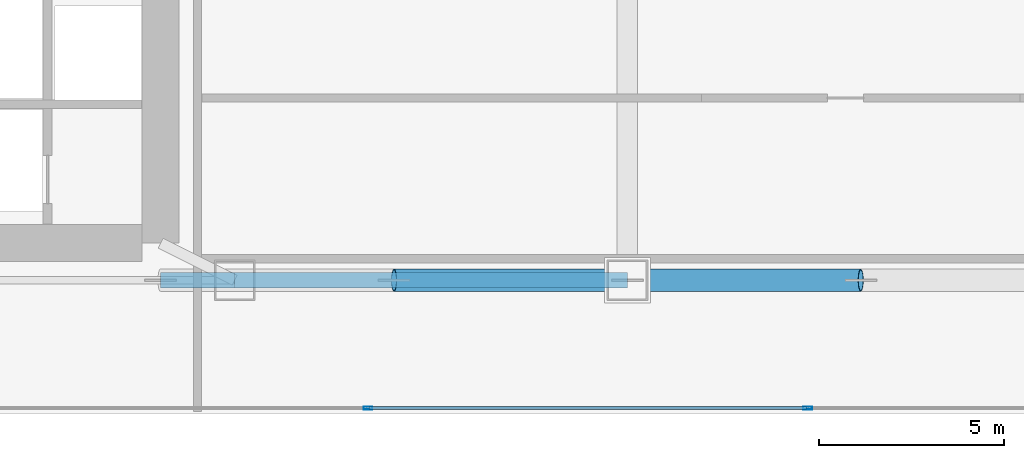
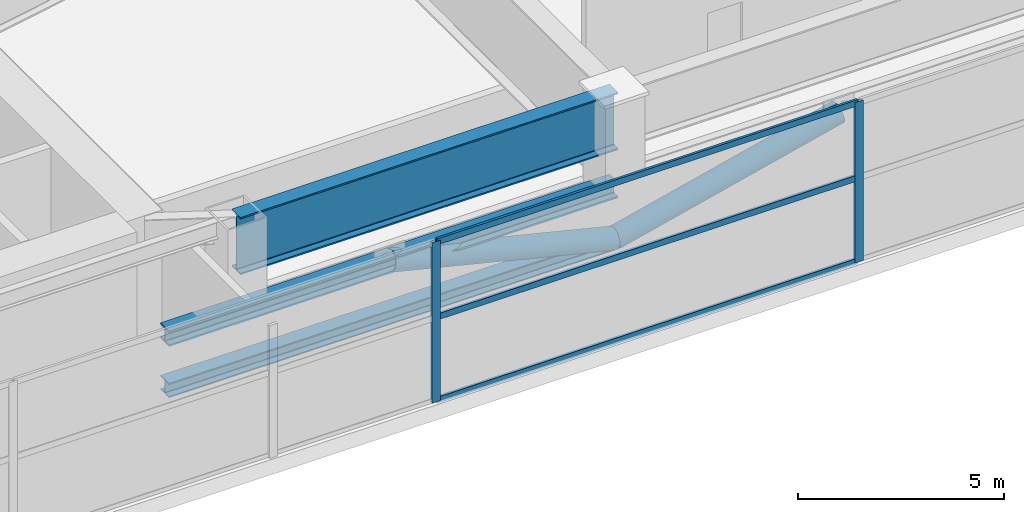
# One storey, part 11 of 36: 9 members, 1 beam, 1 element without a shape of its own.
"""IFC4 building model written with IfcOpenShell, lengths in metres."""

import ifcopenshell
import ifcopenshell.guid

model = None  # the IFC model being written
_history = None  # IfcOwnerHistory: only IFC2X3 demands one
_inside = {}  # id of a spatial element -> (the spatial element, [elements in it])
_under = {}  # id of a project, library or spatial element -> (it, [spatial elements below it])
_declared = {}  # id of a project -> (the project, [libraries it declares])
_typed = {}  # id of a type object -> (the type object, [elements of that type])
_made_of = {}  # id of a material, layer set ... -> (it, [elements and type objects made of it])


def new_model(schema):
    """Start an empty IFC model of exactly this schema.

    Asked for "IFC4X3", IfcOpenShell would pick the latest addendum, in which some entities
    have other attributes; the version numbers below select the first issue.
    IFC2X3 requires an IfcOwnerHistory on every rooted entity: one is made here for all.
    """
    global model, _history
    if schema == "IFC4X3":
        model = ifcopenshell.file(schema_version=(4, 3, 0, 0))
    else:
        model = ifcopenshell.file(schema=schema)
    _inside.clear()
    _under.clear()
    _declared.clear()
    _typed.clear()
    _made_of.clear()
    _history = None
    if model.schema == "IFC2X3":
        org = make("IfcOrganization", Name="unknown")
        user = make(
            "IfcPersonAndOrganization",
            ThePerson=make("IfcPerson", FamilyName="unknown"),
            TheOrganization=org,
        )
        app = make(
            "IfcApplication",
            ApplicationDeveloper=org,
            Version="unknown",
            ApplicationFullName="unknown",
            ApplicationIdentifier="unknown",
        )
        _history = make(
            "IfcOwnerHistory",
            OwningUser=user,
            OwningApplication=app,
            ChangeAction="ADDED",
            CreationDate=0,
        )
    return model


def make(cls, **values):
    """One entity of the class cls with the attributes given. An attribute that is None is left unset."""
    return model.create_entity(
        cls, **{name: value for name, value in values.items() if value is not None}
    )


def rooted(cls, **values):
    """An entity with a GlobalId (a new one), such as an element, a storey or a relation."""
    return make(cls, GlobalId=ifcopenshell.guid.new(), OwnerHistory=_history, **values)


def si_unit(unit_type, name, prefix=None):
    """IfcSIUnit, for example si_unit("LENGTHUNIT", "METRE", prefix="MILLI")."""
    return make("IfcSIUnit", UnitType=unit_type, Prefix=prefix, Name=name)


def assignment(units):
    """IfcUnitAssignment: the units of a project."""
    return None if units is None else make("IfcUnitAssignment", Units=units)


def point(xyz):
    """IfcCartesianPoint."""
    return None if xyz is None else make("IfcCartesianPoint", Coordinates=xyz)


def direction(xyz):
    """IfcDirection."""
    return None if xyz is None else make("IfcDirection", DirectionRatios=xyz)


def frame(location, z_axis=None, x_axis=None):
    """IfcAxis2Placement3D, a coordinate frame: its origin and axes. An axis left out is left unset."""
    return make(
        "IfcAxis2Placement3D",
        Location=point(location),
        Axis=direction(z_axis),
        RefDirection=direction(x_axis),
    )


def frame_2d(location, x_axis=None):
    """IfcAxis2Placement2D, a coordinate frame in the plane: its origin and x axis."""
    return make(
        "IfcAxis2Placement2D", Location=point(location), RefDirection=direction(x_axis)
    )


def origin():
    """The frame at (0, 0, 0) with its axes left unset."""
    return frame((0.0, 0.0, 0.0))


def origin_2d():
    """The frame at (0, 0) in the plane with its x axis left unset."""
    return frame_2d((0.0, 0.0))


def place(relative_to, where):
    """IfcLocalPlacement: puts the frame where relative to a parent placement (None: the world)."""
    return make(
        "IfcLocalPlacement", PlacementRelTo=relative_to, RelativePlacement=where
    )


def context(
    kind, dimensions, precision=None, world=None, true_north=None, identifier=None
):
    """IfcGeometricRepresentationContext, for example the 3D "Model" context."""
    return make(
        "IfcGeometricRepresentationContext",
        ContextIdentifier=identifier,
        ContextType=kind,
        CoordinateSpaceDimension=dimensions,
        Precision=precision,
        WorldCoordinateSystem=world,
        TrueNorth=true_north,
    )


def subcontext(parent, identifier, kind, view, scale=None):
    """IfcGeometricRepresentationSubContext, for example "Body" below "Model"."""
    return make(
        "IfcGeometricRepresentationSubContext",
        ContextIdentifier=identifier,
        ContextType=kind,
        ParentContext=parent,
        TargetScale=scale,
        TargetView=view,
    )


def project(units=None, contexts=None):
    """IfcProject with its units and contexts."""
    return rooted(
        "IfcProject",
        Name="project",
        RepresentationContexts=contexts,
        UnitsInContext=assignment(units),
    )


def spatial(cls, under=None, at=None, **own):
    """A site, building, storey or space (cls), placed at a placement, below another one or the project."""
    s = rooted(cls, ObjectPlacement=at, **own)
    if under is not None:
        _under.setdefault(under.id(), (under, []))[1].append(s)
    return s


def profile(cls, at=None, kind="AREA", **sizes):
    """A parametric profile (cls). Its sizes go by their IFC names, for example OverallWidth=200.0."""
    return make(cls, ProfileType=kind, Position=at, **sizes)


def hollow_rectangle(**sizes):
    """IfcRectangleHollowProfileDef."""
    return profile("IfcRectangleHollowProfileDef", **sizes)


def hollow_circle(**sizes):
    """IfcCircleHollowProfileDef."""
    return profile("IfcCircleHollowProfileDef", **sizes)


def i_section(**sizes):
    """IfcIShapeProfileDef."""
    return profile("IfcIShapeProfileDef", **sizes)


def extrude(swept, where, along, depth):
    """IfcExtrudedAreaSolid: the profile swept, set in the frame where, extruded along a direction by depth."""
    return make(
        "IfcExtrudedAreaSolid",
        SweptArea=swept,
        Position=where,
        ExtrudedDirection=direction(along),
        Depth=depth,
    )


def shape(context_of_items, identifier, shape_type, items):
    """IfcShapeRepresentation: the items that make up one representation, for example the "Body"."""
    return make(
        "IfcShapeRepresentation",
        ContextOfItems=context_of_items,
        RepresentationIdentifier=identifier,
        RepresentationType=shape_type,
        Items=items,
    )


def material(Name=None, Category=None):
    """IfcMaterial."""
    return make("IfcMaterial", Name=Name, Category=Category)


def layer(
    of_material, thickness, ventilated=None, Name=None, Category=None, Priority=None
):
    """IfcMaterialLayer: one layer of a wall or slab, of a material (None: an air gap)."""
    return make(
        "IfcMaterialLayer",
        Material=of_material,
        LayerThickness=thickness,
        IsVentilated=ventilated,
        Name=Name,
        Category=Category,
        Priority=Priority,
    )


def layer_set(layers, Name=None):
    """IfcMaterialLayerSet."""
    return make("IfcMaterialLayerSet", MaterialLayers=layers, LayerSetName=Name)


def material_profile(
    of_material, cross_section, Name=None, Category=None, Priority=None
):
    """IfcMaterialProfile: a cross section and its material."""
    return make(
        "IfcMaterialProfile",
        Name=Name,
        Material=of_material,
        Profile=cross_section,
        Priority=Priority,
        Category=Category,
    )


def profile_set(profiles, Name=None, composite=None):
    """IfcMaterialProfileSet."""
    return make(
        "IfcMaterialProfileSet",
        Name=Name,
        MaterialProfiles=profiles,
        CompositeProfile=composite,
    )


def made_of(thing, what):
    """Note that an element or type object is made of a material, layer set ...; save() writes the relation."""
    if what is not None:
        _made_of.setdefault(what.id(), (what, []))[1].append(thing)
    return thing


def type_object(cls, material=None, **own):
    """A type object (cls), such as IfcWallType, which elements share."""
    return made_of(rooted(cls, **own), material)


def element(
    cls,
    number,
    at=None,
    inside=None,
    cuts=None,
    type_object=None,
    material=None,
    context=None,
    identifier="Body",
    shape_type=None,
    held_by="IfcProductDefinitionShape",
    body=None,
    shapes=None,
    **own,
):
    """One element of the class cls, such as IfcWall. Its Tag is "e" and its number.

    at: its placement. inside: the storey or other place that contains it. cuts: it is an
    opening in that element (IfcRelVoidsElement). A single representation is given by context,
    identifier, shape_type and body (its items); several are given by shapes. held_by: the class
    of the entity that holds the representations. save() writes the other relations.
    """
    e = rooted(cls, Tag="e%d" % number, ObjectPlacement=at, **own)
    if body is not None:
        shapes = [shape(context, identifier, shape_type, body)]
    if shapes is not None:
        e.Representation = make(held_by, Representations=shapes)
    if inside is not None:
        _inside.setdefault(inside.id(), (inside, []))[1].append(e)
    if cuts is not None:
        rooted(
            "IfcRelVoidsElement", RelatingBuildingElement=cuts, RelatedOpeningElement=e
        )
    if type_object is not None:
        _typed.setdefault(type_object.id(), (type_object, []))[1].append(e)
    return made_of(e, material)


def aggregate(whole, parts):
    """IfcRelAggregates: a whole, such as a stair, and the parts it consists of."""
    return rooted("IfcRelAggregates", RelatingObject=whole, RelatedObjects=parts)


def save(model, path):
    """Write the relations noted so far, then the file.

    IfcRelAggregates (storeys below a building ...), IfcRelContainedInSpatialStructure (elements
    in a storey), IfcRelDefinesByType, IfcRelAssociatesMaterial and IfcRelDeclares: one each for
    every whole, place, type object, material and project.
    """
    for whole, parts in _under.values():
        aggregate(whole, parts)
    for where, things in _inside.values():
        rooted(
            "IfcRelContainedInSpatialStructure",
            RelatedElements=things,
            RelatingStructure=where,
        )
    for kind, things in _typed.values():
        rooted("IfcRelDefinesByType", RelatedObjects=things, RelatingType=kind)
    for what, things in _made_of.values():
        rooted("IfcRelAssociatesMaterial", RelatedObjects=things, RelatingMaterial=what)
    for by, libraries in _declared.values():
        rooted("IfcRelDeclares", RelatingContext=by, RelatedDefinitions=libraries)
    model.write(path)


model = new_model("IFC4")

# Units and contexts
model_context = context("Model", 3, precision=1e-05, world=origin(), true_north=direction((0.0, 1.0)))
body_context = subcontext(model_context, "Body", "Model", "MODEL_VIEW")
ifc_project = project(units=[si_unit("LENGTHUNIT", "METRE"), si_unit("AREAUNIT", "SQUARE_METRE"), si_unit("VOLUMEUNIT", "CUBIC_METRE"), si_unit("PLANEANGLEUNIT", "RADIAN"), si_unit("MASSUNIT", "GRAM", prefix="KILO")], contexts=[model_context])

# Site, building, storey
site_placement = place(None, origin())
site = spatial("IfcSite", under=ifc_project, at=site_placement, CompositionType="ELEMENT")
building_placement = place(site_placement, origin())
building = spatial("IfcBuilding", under=site, at=building_placement, Name="Calvorn Quay Hotel", CompositionType="ELEMENT")
storey_placement = place(building_placement, frame((0.0, 0.0, 22.0)))
storey = spatial("IfcBuildingStorey", under=building, at=storey_placement, Name="L04", CompositionType="ELEMENT", Elevation=22.0)

# Beam
ifc_material_1 = material(Name="Steel Q420GJC", Category="steel")
ifc_material_profile_1 = material_profile(ifc_material_1, i_section(OverallWidth=0.419921875, OverallDepth=1.699951171875, WebThickness=0.02392578125, FlangeThickness=0.0419921875, FilletRadius=0.02392578125, at=origin_2d()), Name="HN1700x420x24x42")
ifc_profile_set_1 = profile_set([ifc_material_profile_1], Name="Steel Q420GJC")
beam_type = type_object("IfcBeamType", Name="BM-XFER-SAWTOOTH", PredefinedType="BEAM", material=ifc_profile_set_1)
beam_placement = place(storey_placement, frame((34.39990234375, 3.60009765625, 3.889892578125), z_axis=(1.0, 0.0, 0.0), x_axis=(0.0, 1.0, 0.0)))
element("IfcBeam", 1, at=beam_placement, inside=storey, type_object=beam_type, Name="Beam BTG-L04-S1", PredefinedType="BEAM", context=body_context, shape_type="SweptSolid", body=[
    extrude(i_section(OverallWidth=0.419921875, OverallDepth=1.699951171875, WebThickness=0.02392578125, FlangeThickness=0.0419921875, FilletRadius=0.02392578125, at=origin_2d()), origin(), (0.0, 0.0, 1.0), 10.60009765625),
])

# Curtain wall, members
ifc_material_2 = material(Name="Pale Anodised Aluminium and Low-E Glass", Category="aluminium")
ifc_layer = layer(ifc_material_2, 0.219970703125)
ifc_layer_set = layer_set([ifc_layer], Name="CW-SYS-POD")
curtain_wall_type = type_object("IfcCurtainWallType", Name="CW-SYS-POD", PredefinedType="NOTDEFINED", material=ifc_layer_set)
curtain_wall_placement = place(storey_placement, origin())
curtain_wall = element("IfcCurtainWall", 2, at=curtain_wall_placement, inside=storey, type_object=curtain_wall_type, Name="Podium Curtain Wall L04-S1", PredefinedType="NOTDEFINED")
ifc_material_3 = material(Name="Pale Anodised Aluminium 6063-T6", Category="aluminium")
ifc_material_profile_2 = material_profile(ifc_material_3, hollow_rectangle(XDim=0.080078125, YDim=0.239990234375, WallThickness=0.0048828125, at=origin_2d()), Name="ALU-M240x80x5")
ifc_profile_set_2 = profile_set([ifc_material_profile_2], Name="Pale Anodised Aluminium 6063-T6")
member_type_1 = type_object("IfcMemberType", Name="CW-SYS-POD-MUL", PredefinedType="MULLION", material=ifc_profile_set_2)
member_1_placement = place(storey_placement, frame((38.0, 0.14990234375, 0.0), z_axis=(0.0, 0.0, 1.0), x_axis=(0.0, 1.0, 0.0)))
member_1 = element("IfcMember", 3, at=member_1_placement, type_object=member_type_1, Name="CW-L04-S1 mullion 4", PredefinedType="MULLION", context=body_context, shape_type="SweptSolid", body=[
    extrude(hollow_rectangle(XDim=0.080078125, YDim=0.239990234375, WallThickness=0.0048828125, at=origin_2d()), origin(), (0.0, 0.0, 1.0), 4.760009765625),
])
member_2_placement = place(storey_placement, frame((49.86669921875, 0.14990234375, 0.0), z_axis=(0.0, 0.0, 1.0), x_axis=(0.0, 1.0, 0.0)))
member_2 = element("IfcMember", 4, at=member_2_placement, type_object=member_type_1, Name="CW-L04-S1 mullion 5", PredefinedType="MULLION", context=body_context, shape_type="SweptSolid", body=[
    extrude(hollow_rectangle(XDim=0.080078125, YDim=0.239990234375, WallThickness=0.0048828125, at=origin_2d()), origin(), (0.0, 0.0, 1.0), 4.760009765625),
])
ifc_material_4 = material(Name="Pale Anodised Aluminium 6063-T6", Category="aluminium")
ifc_material_profile_3 = material_profile(ifc_material_4, hollow_rectangle(XDim=0.070068359375, YDim=0.179931640625, WallThickness=0.00390625, at=origin_2d()), Name="ALU-T180x70x4")
ifc_profile_set_3 = profile_set([ifc_material_profile_3], Name="Pale Anodised Aluminium 6063-T6")
member_type_2 = type_object("IfcMemberType", Name="CW-SYS-POD-TRN", PredefinedType="USERDEFINED", material=ifc_profile_set_3)
member_3_placement = place(storey_placement, frame((38.030029296875, 0.14990234375, 0.030029296875), z_axis=(1.0, 0.0, 0.0), x_axis=(0.0, 1.0, 0.0)))
member_3 = element("IfcMember", 5, at=member_3_placement, type_object=member_type_2, Name="CW-L04-S1 transom 4.1", ObjectType="TRANSOM", PredefinedType="USERDEFINED", context=body_context, shape_type="SweptSolid", body=[
    extrude(hollow_rectangle(XDim=0.070068359375, YDim=0.179931640625, WallThickness=0.00390625, at=origin_2d()), origin(), (0.0, 0.0, 1.0), 11.806640625),
])
member_4_placement = place(storey_placement, frame((38.030029296875, 0.14990234375, 2.5), z_axis=(1.0, 0.0, 0.0), x_axis=(0.0, 1.0, 0.0)))
member_4 = element("IfcMember", 6, at=member_4_placement, type_object=member_type_2, Name="CW-L04-S1 transom 4.2", ObjectType="TRANSOM", PredefinedType="USERDEFINED", context=body_context, shape_type="SweptSolid", body=[
    extrude(hollow_rectangle(XDim=0.070068359375, YDim=0.179931640625, WallThickness=0.00390625, at=origin_2d()), origin(), (0.0, 0.0, 1.0), 11.806640625),
])
member_5_placement = place(storey_placement, frame((38.030029296875, 0.14990234375, 4.72998046875), z_axis=(1.0, 0.0, 0.0), x_axis=(0.0, 1.0, 0.0)))
member_5 = element("IfcMember", 7, at=member_5_placement, type_object=member_type_2, Name="CW-L04-S1 transom 4.3", ObjectType="TRANSOM", PredefinedType="USERDEFINED", context=body_context, shape_type="SweptSolid", body=[
    extrude(hollow_rectangle(XDim=0.070068359375, YDim=0.179931640625, WallThickness=0.00390625, at=origin_2d()), origin(), (0.0, 0.0, 1.0), 11.806640625),
])
aggregate(curtain_wall, [member_1, member_2, member_3, member_4, member_5])

# Members
ifc_material_5 = material(Name="Steel Q420GJC", Category="steel")
ifc_material_profile_4 = material_profile(ifc_material_5, i_section(OverallWidth=0.406982421875, OverallDepth=0.427978515625, WebThickness=0.02001953125, FlangeThickness=0.034912109375, FilletRadius=0.02197265625, at=origin_2d()), Name="HW428x407x20x35")
ifc_profile_set_4 = profile_set([ifc_material_profile_4], Name="Steel Q420GJC")
member_type_3 = type_object("IfcMemberType", Name="MEM-TRUSS-CHORD-BOT", PredefinedType="CHORD", material=ifc_profile_set_4)
member_6_placement = place(storey_placement, frame((32.39990234375, 3.60009765625, 0.300048828125), z_axis=(1.0, 0.0, 0.0), x_axis=(0.0, 1.0, 0.0)))
element("IfcMember", 8, at=member_6_placement, inside=storey, type_object=member_type_3, Name="Ballroom Transfer Bottom Chord MBC-T11", PredefinedType="CHORD", context=body_context, shape_type="SweptSolid", body=[
    extrude(i_section(OverallWidth=0.406982421875, OverallDepth=0.427978515625, WebThickness=0.02001953125, FlangeThickness=0.034912109375, FilletRadius=0.02197265625, at=origin_2d()), origin(), (0.0, 0.0, 1.0), 12.60009765625),
])
ifc_material_6 = material(Name="Steel Q420GJC", Category="steel")
ifc_material_profile_5 = material_profile(ifc_material_6, i_section(OverallWidth=0.4169921875, OverallDepth=0.4580078125, WebThickness=0.030029296875, FlangeThickness=0.050048828125, FilletRadius=0.02197265625, at=origin_2d()), Name="HW458x417x30x50")
ifc_profile_set_5 = profile_set([ifc_material_profile_5], Name="Steel Q420GJC")
member_type_4 = type_object("IfcMemberType", Name="MEM-TRUSS-CHORD-TOP", PredefinedType="CHORD", material=ifc_profile_set_5)
member_7_placement = place(storey_placement, frame((32.39990234375, 3.60009765625, 1.840087890625), z_axis=(1.0, 0.0, 0.0), x_axis=(0.0, 1.0, 0.0)))
element("IfcMember", 9, at=member_7_placement, inside=storey, type_object=member_type_4, Name="Ballroom Transfer Top Chord MTC-11", PredefinedType="CHORD", context=body_context, shape_type="SweptSolid", body=[
    extrude(i_section(OverallWidth=0.4169921875, OverallDepth=0.4580078125, WebThickness=0.030029296875, FlangeThickness=0.050048828125, FilletRadius=0.02197265625, at=origin_2d()), origin(), (0.0, 0.0, 1.0), 12.60009765625),
])
ifc_material_7 = material(Name="Steel Q420GJC", Category="steel")
ifc_material_profile_6 = material_profile(ifc_material_7, hollow_circle(Radius=0.300048828125, WallThickness=0.02392578125, at=origin_2d()), Name="CHS600x24")
ifc_profile_set_6 = profile_set([ifc_material_profile_6], Name="Steel Q420GJC")
member_type_5 = type_object("IfcMemberType", Name="MEM-TRUSS-DIAG-HVY", PredefinedType="BRACE", material=ifc_profile_set_6)
for number, where, z_axis, x_axis, name in (
    (10, (38.699951171875, 3.60009765625, 1.840087890625), (0.971398041713, 0.0, -0.237457037284), (0.0, 1.0, 0.0), "Ballroom Warren Diagonal MTD-11B"),
    (11, (45.0, 3.60009765625, 0.300048828125), (0.971398041713, 0.0, 0.237457037284), (0.0, 1.0, 0.0), "Ballroom Warren Diagonal MTD-12A"),
):
    element("IfcMember", number, at=place(storey_placement, frame(where, z_axis=z_axis, x_axis=x_axis)), inside=storey, type_object=member_type_5, Name=name, PredefinedType="BRACE", context=body_context, shape_type="SweptSolid", body=[
        extrude(hollow_circle(Radius=0.300048828125, WallThickness=0.02392578125, at=origin_2d()), origin(), (0.0, 0.0, 1.0), 6.485595703125),
    ])

save(model, "model.ifc")
